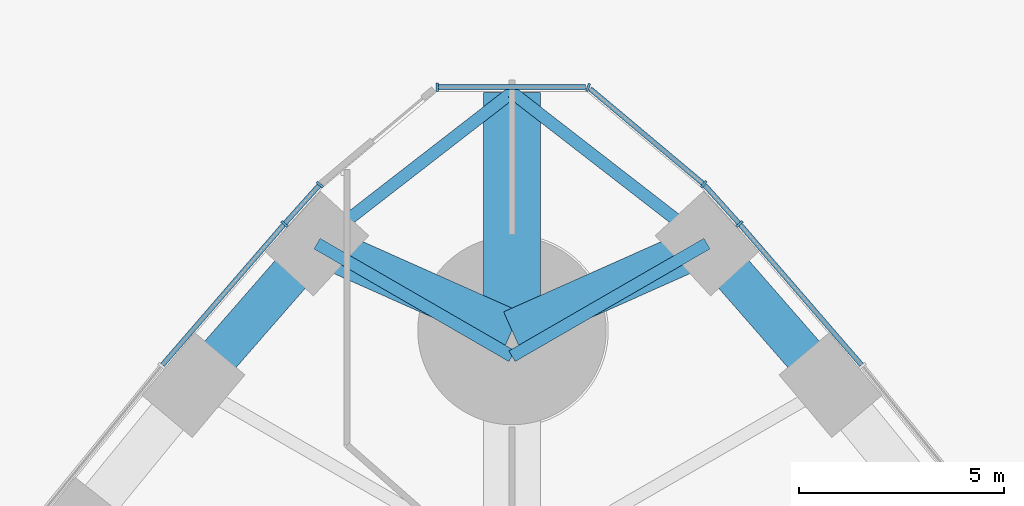
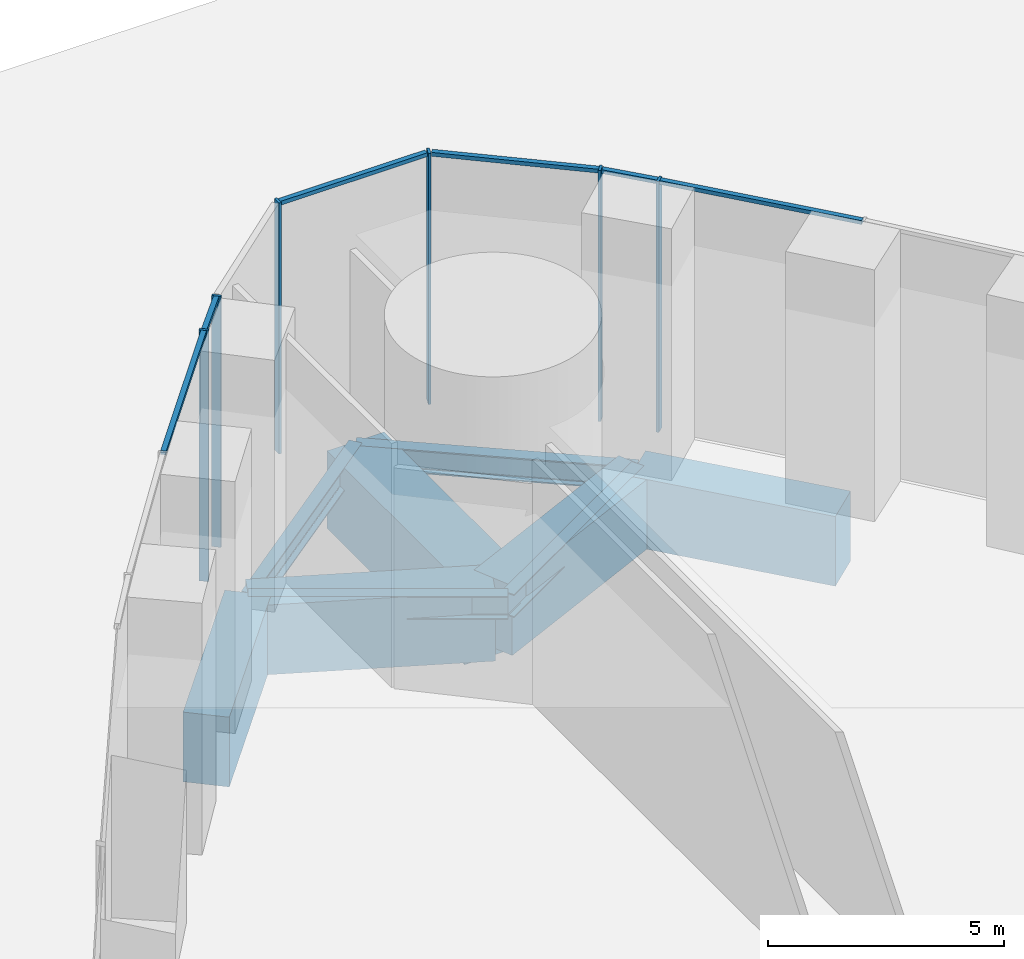
# One storey, part 12 of 43: 12 members, 9 beams, 3 elements without a shape of their own.
"""IFC4 building model written with IfcOpenShell, lengths in metres."""

from ifc_helpers import new_model, si_unit, direction, frame, origin, origin_2d, place, context, subcontext, project, spatial, rectangle, i_section, extrude, material, material_profile, profile_set, type_object, element, aggregate, save


model = new_model("IFC4")

# Units and contexts
model_context = context("Model", 3, precision=1e-05, world=origin(), true_north=direction((0.0, 1.0)))
body_context = subcontext(model_context, "Body", "Model", "MODEL_VIEW")
ifc_project = project(units=[si_unit("LENGTHUNIT", "METRE"), si_unit("AREAUNIT", "SQUARE_METRE"), si_unit("VOLUMEUNIT", "CUBIC_METRE"), si_unit("PLANEANGLEUNIT", "RADIAN"), si_unit("MASSUNIT", "GRAM", prefix="KILO")], contexts=[model_context])

# Site, building, storey
site_placement = place(None, origin())
site = spatial("IfcSite", under=ifc_project, at=site_placement, CompositionType="ELEMENT")
building_placement = place(site_placement, origin())
building = spatial("IfcBuilding", under=site, at=building_placement, Name="Trefoil Bronze Tower", CompositionType="ELEMENT")
storey_placement = place(building_placement, origin())
storey = spatial("IfcBuildingStorey", under=building, at=storey_placement, Name="L00", CompositionType="ELEMENT", Elevation=0.0)

# Curtain wall, member
ifc_material_1 = material(Name="Tinted solar-control glass", Category="glass")
curtain_wall_type_1 = type_object("IfcCurtainWallType", Name="Bronze podium storefront curtain wall", PredefinedType="USERDEFINED", material=ifc_material_1)
curtain_wall_1_placement = place(storey_placement, origin())
curtain_wall_1 = element("IfcCurtainWall", 1, at=curtain_wall_1_placement, inside=storey, type_object=curtain_wall_type_1, Name="CW-C L00 F2 run 5", ObjectType="CURTAIN WALL", PredefinedType="USERDEFINED")
ifc_material_2 = material(Name="Bronze-finish aluminium", Category="aluminium")
ifc_material_profile_1 = material_profile(ifc_material_2, rectangle(XDim=0.199951171875, YDim=0.06005859375, at=origin_2d()), Name="CW-C mullion")
ifc_profile_set_1 = profile_set([ifc_material_profile_1], Name="Bronze-finish aluminium")
member_type_1 = type_object("IfcMemberType", Name="Bronze podium storefront curtain wall mullion", PredefinedType="MULLION", material=ifc_profile_set_1)
member_1_placement = place(storey_placement, frame((5.556640625, 39.60400390625, 0.0), z_axis=(0.0, 0.0, 1.0), x_axis=(-0.7499405861, -0.661505190698, 0.0)))
member_1 = element("IfcMember", 2, at=member_1_placement, type_object=member_type_1, Name="CW-C L00 F2 run 5 mullion 6", PredefinedType="MULLION", context=body_context, shape_type="SweptSolid", body=[
    extrude(rectangle(XDim=0.199951171875, YDim=0.06005859375, at=origin_2d()), origin(), (0.0, 0.0, 1.0), 6.47998046875),
])

# Curtain wall, members
curtain_wall_2_placement = place(storey_placement, origin())
curtain_wall_2 = element("IfcCurtainWall", 3, at=curtain_wall_2_placement, inside=storey, type_object=curtain_wall_type_1, Name="CW-C L00 F3 run 1", ObjectType="CURTAIN WALL", PredefinedType="USERDEFINED")
member_2_placement = place(storey_placement, frame((-4.693115234375, 40.564208984375, 0.0), z_axis=(0.0, 0.0, 1.0), x_axis=(0.743644714221, -0.668575006272, 0.0)))
member_2 = element("IfcMember", 4, at=member_2_placement, type_object=member_type_1, Name="CW-C L00 F3 run 1 mullion 1", PredefinedType="MULLION", context=body_context, shape_type="SweptSolid", body=[
    extrude(rectangle(XDim=0.199951171875, YDim=0.06005859375, at=origin_2d()), origin(), (0.0, 0.0, 1.0), 6.47998046875),
])
member_3_placement = place(storey_placement, frame((-5.556640625, 39.60400390625, 0.0), z_axis=(0.0, 0.0, 1.0), x_axis=(0.7499405861, -0.661505190698, 0.0)))
member_3 = element("IfcMember", 5, at=member_3_placement, type_object=member_type_1, Name="CW-C L00 F3 run 1 mullion 2", PredefinedType="MULLION", context=body_context, shape_type="SweptSolid", body=[
    extrude(rectangle(XDim=0.199951171875, YDim=0.06005859375, at=origin_2d()), origin(), (0.0, 0.0, 1.0), 6.47998046875),
])

# Member
ifc_material_3 = material(Name="Bronze-finish aluminium", Category="aluminium")
ifc_material_profile_2 = material_profile(ifc_material_3, rectangle(XDim=0.1201171875, YDim=0.10009765625, at=origin_2d()), Name="CW-C transom")
ifc_profile_set_2 = profile_set([ifc_material_profile_2], Name="Bronze-finish aluminium")
member_type_2 = type_object("IfcMemberType", Name="Bronze podium storefront curtain wall transom", PredefinedType="USERDEFINED", material=ifc_profile_set_2)
member_4_placement = place(storey_placement, frame((8.5361328125, 36.160888671875, 6.429931640625), z_axis=(-0.654393958873, 0.756153785014, 0.0), x_axis=(-0.756153785014, -0.654393958873, 0.0)))
member_4 = element("IfcMember", 6, at=member_4_placement, type_object=member_type_2, Name="CW-C L00 F2 run 5 transom 5", ObjectType="TRANSOM", PredefinedType="USERDEFINED", context=body_context, shape_type="SweptSolid", body=[
    extrude(rectangle(XDim=0.1201171875, YDim=0.10009765625, at=origin_2d()), origin(), (0.0, 0.0, 1.0), 4.5224609375),
])

member_5_placement = place(storey_placement, frame((5.535888671875, 39.626953125, 6.429931640625), z_axis=(-0.668613891613, 0.743609752452, 0.0), x_axis=(-0.743609752452, -0.668613891613, 0.0)))
member_5 = element("IfcMember", 7, at=member_5_placement, type_object=member_type_2, Name="CW-C L00 F2 run 5 transom 6", ObjectType="TRANSOM", PredefinedType="USERDEFINED", context=body_context, shape_type="SweptSolid", body=[
    extrude(rectangle(XDim=0.1201171875, YDim=0.10009765625, at=origin_2d()), origin(), (0.0, 0.0, 1.0), 1.23046875),
])

aggregate(curtain_wall_1, [member_1, member_4, member_5])

member_6_placement = place(storey_placement, frame((-4.713134765625, 40.5419921875, 6.429931640625), z_axis=(-0.668613891613, -0.743609752452, 0.0), x_axis=(0.743609752452, -0.668613891613, 0.0)))
member_6 = element("IfcMember", 8, at=member_6_placement, type_object=member_type_2, Name="CW-C L00 F3 run 1 transom 1", ObjectType="TRANSOM", PredefinedType="USERDEFINED", context=body_context, shape_type="SweptSolid", body=[
    extrude(rectangle(XDim=0.1201171875, YDim=0.10009765625, at=origin_2d()), origin(), (0.0, 0.0, 1.0), 1.23046875),
])

member_7_placement = place(storey_placement, frame((-5.57666015625, 39.58056640625, 6.429931640625), z_axis=(-0.654393958873, -0.756153785014, 0.0), x_axis=(0.756153785014, -0.654393958873, 0.0)))
member_7 = element("IfcMember", 9, at=member_7_placement, type_object=member_type_2, Name="CW-C L00 F3 run 1 transom 2", ObjectType="TRANSOM", PredefinedType="USERDEFINED", context=body_context, shape_type="SweptSolid", body=[
    extrude(rectangle(XDim=0.1201171875, YDim=0.10009765625, at=origin_2d()), origin(), (0.0, 0.0, 1.0), 4.5224609375),
])

aggregate(curtain_wall_2, [member_2, member_3, member_6, member_7])

# Curtain wall, members
ifc_material_4 = material(Name="Tinted solar-control glass", Category="glass")
curtain_wall_type_2 = type_object("IfcCurtainWallType", Name="Bronze rounded corner curtain wall", PredefinedType="USERDEFINED", material=ifc_material_4)
curtain_wall_3_placement = place(storey_placement, origin())
curtain_wall_3 = element("IfcCurtainWall", 10, at=curtain_wall_3_placement, inside=storey, type_object=curtain_wall_type_2, Name="CW-B L00 K2 run 1", ObjectType="CURTAIN WALL", PredefinedType="USERDEFINED")
ifc_material_5 = material(Name="Bronze-finish aluminium", Category="aluminium")
ifc_material_profile_3 = material_profile(ifc_material_5, rectangle(XDim=0.199951171875, YDim=0.06005859375, at=origin_2d()), Name="CW-B mullion")
ifc_profile_set_3 = profile_set([ifc_material_profile_3], Name="Bronze-finish aluminium")
member_type_3 = type_object("IfcMemberType", Name="Bronze rounded corner curtain wall mullion", PredefinedType="MULLION", material=ifc_profile_set_3)
member_8_placement = place(storey_placement, frame((4.68310546875, 40.573974609375, 0.0), z_axis=(0.0, 0.0, 1.0), x_axis=(-0.642787609687, -0.766044443119, 0.0)))
member_8 = element("IfcMember", 11, at=member_8_placement, type_object=member_type_3, Name="CW-B L00 K2 run 1 mullion 1", PredefinedType="MULLION", context=body_context, shape_type="SweptSolid", body=[
    extrude(rectangle(XDim=0.199951171875, YDim=0.06005859375, at=origin_2d()), origin(), (0.0, 0.0, 1.0), 6.47998046875),
])
member_9_placement = place(storey_placement, frame((1.8583984375, 42.9365234375, 0.0), z_axis=(0.0, 0.0, 1.0), x_axis=(-0.342020143326, -0.939692620786, 0.0)))
member_9 = element("IfcMember", 12, at=member_9_placement, type_object=member_type_3, Name="CW-B L00 K2 run 1 mullion 2", PredefinedType="MULLION", context=body_context, shape_type="SweptSolid", body=[
    extrude(rectangle(XDim=0.199951171875, YDim=0.06005859375, at=origin_2d()), origin(), (0.0, 0.0, 1.0), 6.47998046875),
])
member_10_placement = place(storey_placement, frame((-1.82421875, 42.9423828125, 0.0), z_axis=(0.0, 0.0, 1.0), x_axis=(0.0, -1.0, 0.0)))
member_10 = element("IfcMember", 13, at=member_10_placement, type_object=member_type_3, Name="CW-B L00 K2 run 1 mullion 3", PredefinedType="MULLION", context=body_context, shape_type="SweptSolid", body=[
    extrude(rectangle(XDim=0.199951171875, YDim=0.06005859375, at=origin_2d()), origin(), (0.0, 0.0, 1.0), 6.47998046875),
])
ifc_material_6 = material(Name="Bronze-finish aluminium", Category="aluminium")
ifc_material_profile_4 = material_profile(ifc_material_6, rectangle(XDim=0.1201171875, YDim=0.10009765625, at=origin_2d()), Name="CW-B transom")
ifc_profile_set_4 = profile_set([ifc_material_profile_4], Name="Bronze-finish aluminium")
member_type_4 = type_object("IfcMemberType", Name="Bronze rounded corner curtain wall transom", PredefinedType="USERDEFINED", material=ifc_profile_set_4)
member_11_placement = place(storey_placement, frame((4.66015625, 40.59326171875, 6.429931640625), z_axis=(-0.766058606238, 0.642770730361, 0.0), x_axis=(-0.642770730361, -0.766058606238, 0.0)))
member_11 = element("IfcMember", 14, at=member_11_placement, type_object=member_type_4, Name="CW-B L00 K2 run 1 transom 1", ObjectType="TRANSOM", PredefinedType="USERDEFINED", context=body_context, shape_type="SweptSolid", body=[
    extrude(rectangle(XDim=0.1201171875, YDim=0.10009765625, at=origin_2d()), origin(), (0.0, 0.0, 1.0), 3.588134765625),
])
member_12_placement = place(storey_placement, frame((1.794189453125, 42.9423828125, 6.429931640625), z_axis=(-1.0, 0.0, 0.0), x_axis=(0.0, -1.0, 0.0)))
member_12 = element("IfcMember", 15, at=member_12_placement, type_object=member_type_4, Name="CW-B L00 K2 run 1 transom 2", ObjectType="TRANSOM", PredefinedType="USERDEFINED", context=body_context, shape_type="SweptSolid", body=[
    extrude(rectangle(XDim=0.1201171875, YDim=0.10009765625, at=origin_2d()), origin(), (0.0, 0.0, 1.0), 3.58837890625),
])
aggregate(curtain_wall_3, [member_8, member_9, member_10, member_11, member_12])

# Beams
ifc_material_7 = material(Name="Concrete B80", Category="concrete")
ifc_material_profile_5 = material_profile(ifc_material_7, rectangle(XDim=1.39990234375, YDim=2.0, at=origin_2d()), Name="RC 1400x2000")
ifc_profile_set_5 = profile_set([ifc_material_profile_5], Name="Concrete B80")
beam_type_1 = type_object("IfcBeamType", Name="Corner cantilever RC 1400x2000", PredefinedType="BEAM", material=ifc_profile_set_5)
beam_placement = place(storey_placement, frame((0.0, 37.0, -1.300048828125), z_axis=(0.0, 1.0, 0.0), x_axis=(-1.0, 0.0, 0.0)))
element("IfcBeam", 16, at=beam_placement, inside=storey, type_object=beam_type_1, Name="Corner cantilever K2 L00", PredefinedType="BEAM", context=body_context, shape_type="SweptSolid", body=[
    extrude(rectangle(XDim=1.39990234375, YDim=2.0, at=origin_2d()), origin(), (0.0, 0.0, 1.0), 5.814208984375),
])
ifc_material_8 = material(Name="Steel C355", Category="steel")
ifc_material_profile_6 = material_profile(ifc_material_8, i_section(OverallWidth=0.300048828125, OverallDepth=0.60009765625, WebThickness=0.015380859375, FlangeThickness=0.030029296875, FilletRadius=0.027099609375, at=origin_2d()), Name="HEB 600")
ifc_profile_set_6 = profile_set([ifc_material_profile_6], Name="Steel C355")
beam_type_2 = type_object("IfcBeamType", Name="Corner edge beam HEB 600", PredefinedType="BEAM", material=ifc_profile_set_6)
for number, where, z_axis, x_axis, name in (
    (17, (4.76171875, 39.122314453125, -0.60009765625), (-0.790289474622, 0.612733666696, 0.0), (-0.612733666696, -0.790289474622, 0.0), "Corner edge beam F2A L00"),
    (18, (-4.76171875, 39.122314453125, -0.60009765625), (0.790289474622, 0.612733666696, 0.0), (-0.612733666696, 0.790289474622, 0.0), "Corner edge beam F3B L00"),
):
    element("IfcBeam", number, at=place(storey_placement, frame(where, z_axis=z_axis, x_axis=x_axis)), inside=storey, type_object=beam_type_2, Name=name, PredefinedType="BEAM", context=body_context, shape_type="SweptSolid", body=[
        extrude(i_section(OverallWidth=0.300048828125, OverallDepth=0.60009765625, WebThickness=0.015380859375, FlangeThickness=0.030029296875, FilletRadius=0.027099609375, at=origin_2d()), origin(), (0.0, 0.0, 1.0), 6.025390625),
    ])
ifc_material_9 = material(Name="Concrete B80", Category="concrete")
ifc_material_profile_7 = material_profile(ifc_material_9, rectangle(XDim=1.0, YDim=1.800048828125, at=origin_2d()), Name="RC 1000x1800")
ifc_profile_set_7 = profile_set([ifc_material_profile_7], Name="Concrete B80")
beam_type_3 = type_object("IfcBeamType", Name="End spandrel beam RC 1000x1800", PredefinedType="SPANDREL", material=ifc_profile_set_7)
for number, where, z_axis, x_axis, name in (
    (19, (4.76171875, 39.122314453125, -1.199951171875), (-0.913384257879, -0.407098510754, 0.0), (0.407098510754, -0.913384257879, 0.0), "Spandrel F2.16 L00"),
    (20, (0.0, 37.0, -1.199951171875), (-0.913384257879, 0.407098510754, 0.0), (-0.407098510754, -0.913384257879, 0.0), "Spandrel F3.1 L00"),
):
    element("IfcBeam", number, at=place(storey_placement, frame(where, z_axis=z_axis, x_axis=x_axis)), inside=storey, type_object=beam_type_3, Name=name, PredefinedType="SPANDREL", context=body_context, shape_type="SweptSolid", body=[
        extrude(rectangle(XDim=1.0, YDim=1.800048828125, at=origin_2d()), origin(), (0.0, 0.0, 1.0), 5.21337890625),
    ])
ifc_material_10 = material(Name="Steel C355", Category="steel")
ifc_material_profile_8 = material_profile(ifc_material_10, i_section(OverallWidth=0.300048828125, OverallDepth=0.590087890625, WebThickness=0.012939453125, FlangeThickness=0.02490234375, FilletRadius=0.027099609375, at=origin_2d()), Name="HEA 600")
ifc_profile_set_8 = profile_set([ifc_material_profile_8], Name="Steel C355")
beam_type_4 = type_object("IfcBeamType", Name="Floor beam HEA 600", PredefinedType="BEAM", material=ifc_profile_set_8)
for number, where, z_axis, x_axis, name in (
    (21, (4.76171875, 39.122314453125, -0.594970703125), (-0.866018475376, -0.500012000164, 0.0), (0.500012000164, -0.866018475376, 0.0), "Floor beam F2/+7 L00"),
    (22, (-4.76171875, 39.122314453125, -0.594970703125), (0.866018475376, -0.500012000164, 0.0), (0.500012000164, 0.866018475376, 0.0), "Floor beam F3/-7 L00"),
):
    element("IfcBeam", number, at=place(storey_placement, frame(where, z_axis=z_axis, x_axis=x_axis)), inside=storey, type_object=beam_type_4, Name=name, PredefinedType="BEAM", context=body_context, shape_type="SweptSolid", body=[
        extrude(i_section(OverallWidth=0.300048828125, OverallDepth=0.590087890625, WebThickness=0.012939453125, FlangeThickness=0.02490234375, FilletRadius=0.027099609375, at=origin_2d()), origin(), (0.0, 0.0, 1.0), 5.498291015625),
    ])
ifc_material_11 = material(Name="Concrete B80", Category="concrete")
ifc_material_profile_9 = material_profile(ifc_material_11, rectangle(XDim=1.0, YDim=1.800048828125, at=origin_2d()), Name="RC 1000x1800")
ifc_profile_set_9 = profile_set([ifc_material_profile_9], Name="Concrete B80")
beam_type_5 = type_object("IfcBeamType", Name="Spandrel beam RC 1000x1800", PredefinedType="SPANDREL", material=ifc_profile_set_9)
for number, where, z_axis, x_axis, name in (
    (23, (7.7763671875, 35.666748046875, -1.199951171875), (-0.657395767989, 0.753545489158, 0.0), (-0.753545489158, -0.657395767989, 0.0), "Spandrel F2.15 L00"),
    (24, (-4.76171875, 39.122314453125, -1.199951171875), (-0.657395767989, -0.753545489158, 0.0), (0.753545489158, -0.657395767989, 0.0), "Spandrel F3.2 L00"),
):
    element("IfcBeam", number, at=place(storey_placement, frame(where, z_axis=z_axis, x_axis=x_axis)), inside=storey, type_object=beam_type_5, Name=name, PredefinedType="SPANDREL", context=body_context, shape_type="SweptSolid", body=[
        extrude(rectangle(XDim=1.0, YDim=1.800048828125, at=origin_2d()), origin(), (0.0, 0.0, 1.0), 4.585693359375),
    ])

save(model, "model.ifc")
